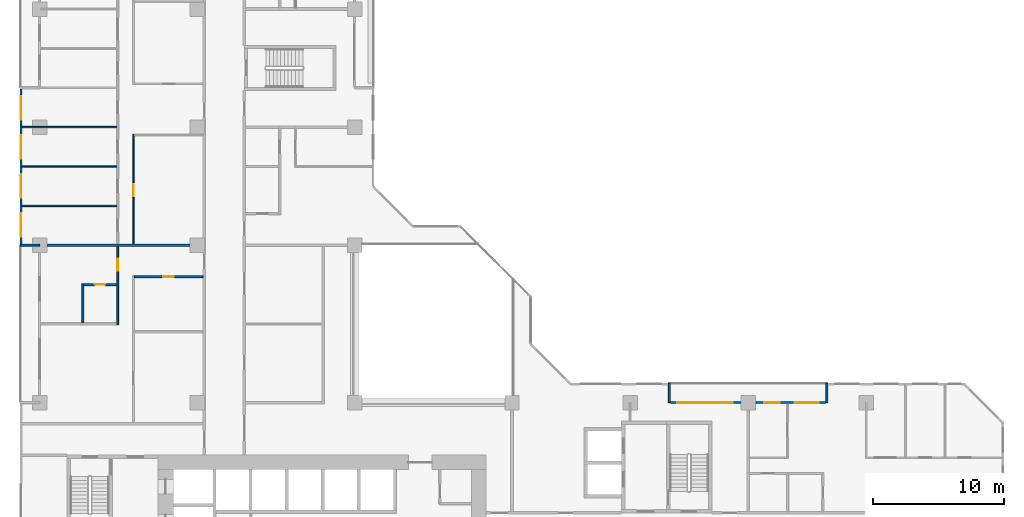
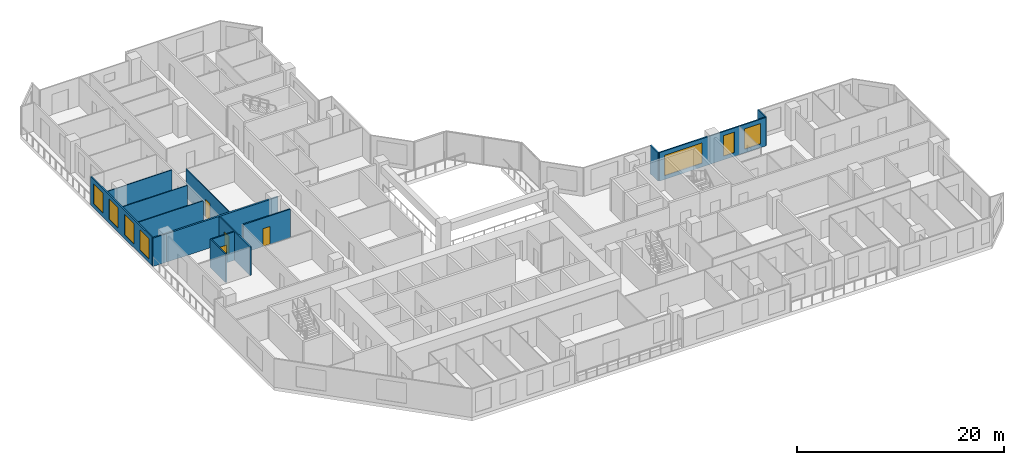
# One storey, part 8 of 15: 14 walls, 7 windows, 4 doors, 11 openings.
"""IFC4 building model written with IfcOpenShell, lengths in metres."""

from ifc_helpers import new_model, si_unit, direction, frame, frame_2d, origin, place, context, subcontext, project, spatial, rectangle, extrude, material, layer, layer_set, type_object, element, fill, save


model = new_model("IFC4")

# Units and contexts
model_context = context("Model", 3, precision=1e-05, world=origin(), true_north=direction((0.0, 1.0)))
body_context = subcontext(model_context, "Body", "Model", "MODEL_VIEW")
ifc_project = project(units=[si_unit("LENGTHUNIT", "METRE"), si_unit("AREAUNIT", "SQUARE_METRE"), si_unit("VOLUMEUNIT", "CUBIC_METRE"), si_unit("PLANEANGLEUNIT", "RADIAN"), si_unit("MASSUNIT", "GRAM", prefix="KILO")], contexts=[model_context])

# Site, building, storey
site_placement = place(None, origin())
site = spatial("IfcSite", under=ifc_project, at=site_placement, CompositionType="ELEMENT")
building_placement = place(site_placement, origin())
building = spatial("IfcBuilding", under=site, at=building_placement, Name="Chenar Terraces", CompositionType="ELEMENT")
storey_placement = place(building_placement, frame((0.0, 0.0, 67.64990234375)))
storey = spatial("IfcBuildingStorey", under=building, at=storey_placement, Name="L14", CompositionType="ELEMENT", Elevation=67.64990234375)

# Wall, openings, windows
ifc_material_1 = material(Name="Aluminium framed glazing", Category="aluminium")
ifc_layer_1 = layer(ifc_material_1, 0.14990234375)
ifc_layer_set_1 = layer_set([ifc_layer_1], Name="Aluminium framed glazing")
wall_type_1 = type_object("IfcWallType", Name="Glazed flush facade wall 150", PredefinedType="SOLIDWALL", material=ifc_layer_set_1)
wall_1_placement = place(storey_placement, frame((-1.425048828125, 47.925048828125, 0.0), z_axis=(0.0, 0.0, 1.0), x_axis=(0.0, -1.0, 0.0)))
wall_1 = element("IfcWall", 1, at=wall_1_placement, inside=storey, type_object=wall_type_1, Name="Glazed flush facade wall", PredefinedType="SOLIDWALL", context=body_context, shape_type="SweptSolid", body=[
    extrude(rectangle(XDim=11.85009765625, YDim=0.14990234375, at=frame_2d((5.925048828125, 0.0))), origin(), (0.0, 0.0, 1.0), 3.35009765625),
])
opening_1_placement = place(wall_1_placement, frame((0.5625, 0.0, 0.449951171875)))
opening_1 = element("IfcOpeningElement", 2, at=opening_1_placement, cuts=wall_1, Name="Opening W180x240", PredefinedType="OPENING", context=body_context, shape_type="SweptSolid", body=[
    extrude(rectangle(XDim=1.800048828125, YDim=2.39990234375, at=frame_2d((0.89990234375, 1.199951171875))), frame((0.0, 0.0849609375, 0.0), z_axis=(0.0, -1.0, 0.0), x_axis=(1.0, 0.0, 0.0)), (0.0, 0.0, 1.0), 0.169921875),
])
opening_2_placement = place(wall_1_placement, frame((3.52490234375, 0.0, 0.449951171875)))
opening_2 = element("IfcOpeningElement", 3, at=opening_2_placement, cuts=wall_1, Name="Opening W180x240", PredefinedType="OPENING", context=body_context, shape_type="SweptSolid", body=[
    extrude(rectangle(XDim=1.800048828125, YDim=2.39990234375, at=frame_2d((0.89990234375, 1.199951171875))), frame((0.0, 0.0849609375, 0.0), z_axis=(0.0, -1.0, 0.0), x_axis=(1.0, 0.0, 0.0)), (0.0, 0.0, 1.0), 0.169921875),
])
opening_3_placement = place(wall_1_placement, frame((6.52490234375, 0.0, 0.449951171875)))
opening_3 = element("IfcOpeningElement", 4, at=opening_3_placement, cuts=wall_1, Name="Opening W180x240", PredefinedType="OPENING", context=body_context, shape_type="SweptSolid", body=[
    extrude(rectangle(XDim=1.800048828125, YDim=2.39990234375, at=frame_2d((0.89990234375, 1.199951171875))), frame((0.0, 0.0849609375, 0.0), z_axis=(0.0, -1.0, 0.0), x_axis=(1.0, 0.0, 0.0)), (0.0, 0.0, 1.0), 0.169921875),
])
opening_4_placement = place(wall_1_placement, frame((9.487548828125, 0.0, 0.449951171875)))
opening_4 = element("IfcOpeningElement", 5, at=opening_4_placement, cuts=wall_1, Name="Opening W180x240", PredefinedType="OPENING", context=body_context, shape_type="SweptSolid", body=[
    extrude(rectangle(XDim=1.800048828125, YDim=2.39990234375, at=frame_2d((0.89990234375, 1.199951171875))), frame((0.0, 0.0849609375, 0.0), z_axis=(0.0, -1.0, 0.0), x_axis=(1.0, 0.0, 0.0)), (0.0, 0.0, 1.0), 0.169921875),
])
ifc_material_2 = material(Name="Low emissivity double glazing, aluminium frame", Category="aluminium")
window_type_1 = type_object("IfcWindowType", Name="Fixed light 1800 x 2400", PartitioningType="SINGLE_PANEL", PredefinedType="WINDOW", material=ifc_material_2)
window_1_placement = place(opening_1_placement, origin())
window_1 = element("IfcWindow", 6, at=window_1_placement, inside=storey, type_object=window_type_1, Name="Window", OverallHeight=2.39990234375, OverallWidth=1.800048828125, PartitioningType="SINGLE_PANEL", PredefinedType="WINDOW", context=body_context, shape_type="SweptSolid", body=[
    extrude(rectangle(XDim=1.800048828125, YDim=2.39990234375, at=frame_2d((0.89990234375, 1.199951171875))), frame((0.0, 0.030029296875, 0.0), z_axis=(0.0, -1.0, 0.0), x_axis=(1.0, 0.0, 0.0)), (0.0, 0.0, 1.0), 0.06005859375),
])
fill(opening_1, window_1)
window_2_placement = place(opening_2_placement, origin())
window_2 = element("IfcWindow", 7, at=window_2_placement, inside=storey, type_object=window_type_1, Name="Window", OverallHeight=2.39990234375, OverallWidth=1.800048828125, PartitioningType="SINGLE_PANEL", PredefinedType="WINDOW", context=body_context, shape_type="SweptSolid", body=[
    extrude(rectangle(XDim=1.800048828125, YDim=2.39990234375, at=frame_2d((0.89990234375, 1.199951171875))), frame((0.0, 0.030029296875, 0.0), z_axis=(0.0, -1.0, 0.0), x_axis=(1.0, 0.0, 0.0)), (0.0, 0.0, 1.0), 0.06005859375),
])
fill(opening_2, window_2)
window_3_placement = place(opening_3_placement, origin())
window_3 = element("IfcWindow", 8, at=window_3_placement, inside=storey, type_object=window_type_1, Name="Window", OverallHeight=2.39990234375, OverallWidth=1.800048828125, PartitioningType="SINGLE_PANEL", PredefinedType="WINDOW", context=body_context, shape_type="SweptSolid", body=[
    extrude(rectangle(XDim=1.800048828125, YDim=2.39990234375, at=frame_2d((0.89990234375, 1.199951171875))), frame((0.0, 0.030029296875, 0.0), z_axis=(0.0, -1.0, 0.0), x_axis=(1.0, 0.0, 0.0)), (0.0, 0.0, 1.0), 0.06005859375),
])
fill(opening_3, window_3)
window_4_placement = place(opening_4_placement, origin())
window_4 = element("IfcWindow", 9, at=window_4_placement, inside=storey, type_object=window_type_1, Name="Window", OverallHeight=2.39990234375, OverallWidth=1.800048828125, PartitioningType="SINGLE_PANEL", PredefinedType="WINDOW", context=body_context, shape_type="SweptSolid", body=[
    extrude(rectangle(XDim=1.800048828125, YDim=2.39990234375, at=frame_2d((0.89990234375, 1.199951171875))), frame((0.0, 0.030029296875, 0.0), z_axis=(0.0, -1.0, 0.0), x_axis=(1.0, 0.0, 0.0)), (0.0, 0.0, 1.0), 0.06005859375),
])
fill(opening_4, window_4)

ifc_material_3 = material(Name="Aluminium framed glazing", Category="aluminium")
ifc_layer_2 = layer(ifc_material_3, 0.14990234375)
ifc_layer_set_2 = layer_set([ifc_layer_2], Name="Aluminium framed glazing")
wall_type_2 = type_object("IfcWallType", Name="Glazed loggia back wall 150", PredefinedType="SOLIDWALL", material=ifc_layer_set_2)
wall_2_placement = place(storey_placement, frame((59.925048828125, 24.0, 0.0), z_axis=(0.0, 0.0, 1.0), x_axis=(-1.0, 0.0, 0.0)))
wall_2 = element("IfcWall", 10, at=wall_2_placement, inside=storey, type_object=wall_type_2, Name="Glazed loggia back wall", PredefinedType="SOLIDWALL", context=body_context, shape_type="SweptSolid", body=[
    extrude(rectangle(XDim=11.85009765625, YDim=0.14990234375, at=frame_2d((5.925048828125, 0.0))), origin(), (0.0, 0.0, 1.0), 3.35009765625),
])
opening_5_placement = place(wall_2_placement, frame((0.5625, 0.0, 0.449951171875)))
opening_5 = element("IfcOpeningElement", 11, at=opening_5_placement, cuts=wall_2, Name="Opening W180x240", PredefinedType="OPENING", context=body_context, shape_type="SweptSolid", body=[
    extrude(rectangle(XDim=1.800048828125, YDim=2.39990234375, at=frame_2d((0.89990234375, 1.199951171875))), frame((0.0, 0.0849609375, 0.0), z_axis=(0.0, -1.0, 0.0), x_axis=(1.0, 0.0, 0.0)), (0.0, 0.0, 1.0), 0.169921875),
])
opening_6_placement = place(wall_2_placement, frame((3.5, 0.0, 0.449951171875)))
opening_6 = element("IfcOpeningElement", 12, at=opening_6_placement, cuts=wall_2, Name="Opening W120x240", PredefinedType="OPENING", context=body_context, shape_type="SweptSolid", body=[
    extrude(rectangle(XDim=1.199951171875, YDim=2.39990234375, at=frame_2d((0.60009765625, 1.199951171875))), frame((0.0, 0.0849609375, 0.0), z_axis=(0.0, -1.0, 0.0), x_axis=(1.0, 0.0, 0.0)), (0.0, 0.0, 1.0), 0.169921875),
])
opening_7_placement = place(wall_2_placement, frame((7.112548828125, 0.0, 0.449951171875)))
opening_7 = element("IfcOpeningElement", 13, at=opening_7_placement, cuts=wall_2, Name="Opening W420x240", PredefinedType="OPENING", context=body_context, shape_type="SweptSolid", body=[
    extrude(rectangle(XDim=4.199951171875, YDim=2.39990234375, at=frame_2d((2.10009765625, 1.199951171875))), frame((0.0, 0.0849609375, 0.0), z_axis=(0.0, -1.0, 0.0), x_axis=(1.0, 0.0, 0.0)), (0.0, 0.0, 1.0), 0.169921875),
])
ifc_material_4 = material(Name="Low emissivity double glazing, aluminium frame", Category="aluminium")
window_type_2 = type_object("IfcWindowType", Name="Fixed light 1200 x 2400", PartitioningType="SINGLE_PANEL", PredefinedType="WINDOW", material=ifc_material_4)
window_5_placement = place(opening_6_placement, origin())
window_5 = element("IfcWindow", 14, at=window_5_placement, inside=storey, type_object=window_type_2, Name="Window", OverallHeight=2.39990234375, OverallWidth=1.199951171875, PartitioningType="SINGLE_PANEL", PredefinedType="WINDOW", context=body_context, shape_type="SweptSolid", body=[
    extrude(rectangle(XDim=1.199951171875, YDim=2.39990234375, at=frame_2d((0.60009765625, 1.199951171875))), frame((0.0, 0.030029296875, 0.0), z_axis=(0.0, -1.0, 0.0), x_axis=(1.0, 0.0, 0.0)), (0.0, 0.0, 1.0), 0.06005859375),
])
fill(opening_6, window_5)
window_6_placement = place(opening_5_placement, origin())
window_6 = element("IfcWindow", 15, at=window_6_placement, inside=storey, type_object=window_type_1, Name="Window", OverallHeight=2.39990234375, OverallWidth=1.800048828125, PartitioningType="SINGLE_PANEL", PredefinedType="WINDOW", context=body_context, shape_type="SweptSolid", body=[
    extrude(rectangle(XDim=1.800048828125, YDim=2.39990234375, at=frame_2d((0.89990234375, 1.199951171875))), frame((0.0, 0.030029296875, 0.0), z_axis=(0.0, -1.0, 0.0), x_axis=(1.0, 0.0, 0.0)), (0.0, 0.0, 1.0), 0.06005859375),
])
fill(opening_5, window_6)
ifc_material_5 = material(Name="Low emissivity double glazing, aluminium frame", Category="aluminium")
window_type_3 = type_object("IfcWindowType", Name="Fixed light 4200 x 2400", PartitioningType="SINGLE_PANEL", PredefinedType="WINDOW", material=ifc_material_5)
window_7_placement = place(opening_7_placement, origin())
window_7 = element("IfcWindow", 16, at=window_7_placement, inside=storey, type_object=window_type_3, Name="Window", OverallHeight=2.39990234375, OverallWidth=4.199951171875, PartitioningType="SINGLE_PANEL", PredefinedType="WINDOW", context=body_context, shape_type="SweptSolid", body=[
    extrude(rectangle(XDim=4.199951171875, YDim=2.39990234375, at=frame_2d((2.10009765625, 1.199951171875))), frame((0.0, 0.030029296875, 0.0), z_axis=(0.0, -1.0, 0.0), x_axis=(1.0, 0.0, 0.0)), (0.0, 0.0, 1.0), 0.06005859375),
])
fill(opening_7, window_7)

# Walls
ifc_material_6 = material(Name="Gypsum board on steel studs", Category="steel")
ifc_layer_3 = layer(ifc_material_6, 0.10009765625)
ifc_layer_set_3 = layer_set([ifc_layer_3], Name="Gypsum board on steel studs")
wall_type_3 = type_object("IfcWallType", Name="Gypsum partition 100", PredefinedType="PARTITIONING", material=ifc_layer_set_3)
for number, where, z_axis, x_axis, name in (
    (17, (-1.35107421875, 39.0, 0.0), (0.0, 0.0, 1.0), (1.0, 0.0, 0.0), "Partition L14-001"),
    (18, (-1.35107421875, 42.0, 0.0), (0.0, 0.0, 1.0), (1.0, 0.0, 0.0), "Partition L14-002"),
    (19, (-1.35107421875, 45.0, 0.0), (0.0, 0.0, 1.0), (1.0, 0.0, 0.0), "Partition L14-003"),
):
    element("IfcWall", number, at=place(storey_placement, frame(where, z_axis=z_axis, x_axis=x_axis)), inside=storey, type_object=wall_type_3, Name=name, PredefinedType="PARTITIONING", context=body_context, shape_type="SweptSolid", body=[
        extrude(rectangle(XDim=7.22607421875, YDim=0.10009765625, at=frame_2d((3.613037109375, 0.0))), origin(), (0.0, 0.0, 1.0), 3.35009765625),
    ])

# Wall, opening, door
wall_3_placement = place(storey_placement, frame((7.14990234375, 36.10009765625, 0.0), z_axis=(0.0, 0.0, 1.0), x_axis=(0.0, 1.0, 0.0)))
wall_3 = element("IfcWall", 20, at=wall_3_placement, inside=storey, type_object=wall_type_3, Name="Partition L14-018", PredefinedType="PARTITIONING", context=body_context, shape_type="SweptSolid", body=[
    extrude(rectangle(XDim=8.349853515625, YDim=0.10009765625, at=frame_2d((4.1748046875, 0.0))), origin(), (0.0, 0.0, 1.0), 3.35009765625),
])
opening_8_placement = place(wall_3_placement, frame((3.64990234375, 0.0, 0.0)))
opening_8 = element("IfcOpeningElement", 21, at=opening_8_placement, cuts=wall_3, Name="Opening DL14-35", PredefinedType="OPENING", context=body_context, shape_type="SweptSolid", body=[
    extrude(rectangle(XDim=0.89990234375, YDim=2.10009765625, at=frame_2d((0.449951171875, 1.050048828125))), frame((0.0, 0.06005859375, 0.0), z_axis=(0.0, -1.0, 0.0), x_axis=(1.0, 0.0, 0.0)), (0.0, 0.0, 1.0), 0.1201171875),
])
ifc_material_7 = material(Name="Veneered timber door leaf", Category="wood")
door_type_1 = type_object("IfcDoorType", Name="Door 900 x 2100", OperationType="SINGLE_SWING_LEFT", PredefinedType="DOOR", material=ifc_material_7)
door_1_placement = place(opening_8_placement, frame((0.89990234375, 0.0, 0.0), z_axis=(0.0, 0.0, 1.0), x_axis=(-1.0, 0.0, 0.0)))
door_1 = element("IfcDoor", 22, at=door_1_placement, inside=storey, type_object=door_type_1, Name="Door DL14-35", OperationType="SINGLE_SWING_LEFT", OverallHeight=2.10009765625, OverallWidth=0.89990234375, PredefinedType="DOOR", context=body_context, shape_type="SweptSolid", body=[
    extrude(rectangle(XDim=0.89990234375, YDim=2.10009765625, at=frame_2d((0.449951171875, 1.050048828125))), frame((0.0, 0.02490234375, 0.0), z_axis=(0.0, -1.0, 0.0), x_axis=(1.0, 0.0, 0.0)), (0.0, 0.0, 1.0), 0.050048828125),
])
fill(opening_8, door_1)

# Walls
ifc_material_8 = material(Name="Terracotta cladding on insulated backing", Category="masonry")
ifc_layer_4 = layer(ifc_material_8, 0.14990234375)
ifc_layer_set_4 = layer_set([ifc_layer_4], Name="Terracotta cladding on insulated backing")
wall_type_4 = type_object("IfcWallType", Name="Loggia return wall 150", PredefinedType="SOLIDWALL", material=ifc_layer_set_4)
for number, where, z_axis, x_axis, name in (
    (23, (60.0, 25.5, 0.0), (0.0, 0.0, 1.0), (0.0, -1.0, 0.0), "Loggia return wall"),
    (24, (48.0, 25.5, 0.0), (0.0, 0.0, 1.0), (0.0, -1.0, 0.0), "Loggia return wall"),
    (25, (-1.5, 36.0, 0.0), (0.0, 0.0, 1.0), (1.0, 0.0, 0.0), "Loggia return wall"),
):
    element("IfcWall", number, at=place(storey_placement, frame(where, z_axis=z_axis, x_axis=x_axis)), inside=storey, type_object=wall_type_4, Name=name, PredefinedType="SOLIDWALL", context=body_context, shape_type="SweptSolid", body=[
        extrude(rectangle(XDim=1.5, YDim=0.14990234375, at=frame_2d((0.75, 0.0))), origin(), (0.0, 0.0, 1.0), 3.35009765625),
    ])
ifc_material_9 = material(Name="Twin gypsum board on steel studs with mineral wool", Category="steel")
ifc_layer_5 = layer(ifc_material_9, 0.199951171875)
ifc_layer_set_5 = layer_set([ifc_layer_5], Name="Twin gypsum board on steel studs with mineral wool")
wall_type_5 = type_object("IfcWallType", Name="Unit demising wall 200", PredefinedType="PARTITIONING", material=ifc_layer_set_5)
wall_4_placement = place(storey_placement, frame((0.0, 36.0, 0.0), z_axis=(0.0, 0.0, 1.0), x_axis=(1.0, 0.0, 0.0)))
element("IfcWall", 26, at=wall_4_placement, inside=storey, type_object=wall_type_5, Name="Partition L14-006", PredefinedType="PARTITIONING", context=body_context, shape_type="SweptSolid", body=[
    extrude(rectangle(XDim=12.449951171875, YDim=0.199951171875, at=frame_2d((6.22509765625, 0.0))), origin(), (0.0, 0.0, 1.0), 3.35009765625),
])
ifc_material_10 = material(Name="Moisture-resistant gypsum board on steel studs", Category="steel")
ifc_layer_6 = layer(ifc_material_10, 0.14990234375)
ifc_layer_set_6 = layer_set([ifc_layer_6], Name="Moisture-resistant gypsum board on steel studs")
wall_type_6 = type_object("IfcWallType", Name="Wet-room partition 150", PredefinedType="PARTITIONING", material=ifc_layer_set_6)
wall_5_placement = place(storey_placement, frame((3.300048828125, 30.074951171875, 0.0), z_axis=(0.0, 0.0, 1.0), x_axis=(0.0, 1.0, 0.0)))
element("IfcWall", 27, at=wall_5_placement, inside=storey, type_object=wall_type_6, Name="Partition L14-013", PredefinedType="PARTITIONING", context=body_context, shape_type="SweptSolid", body=[
    extrude(rectangle(XDim=3.0, YDim=0.14990234375, at=frame_2d((1.5, 0.0))), origin(), (0.0, 0.0, 1.0), 3.35009765625),
])

# Wall, opening, door
wall_6_placement = place(storey_placement, frame((3.375, 33.0, 0.0), z_axis=(0.0, 0.0, 1.0), x_axis=(1.0, 0.0, 0.0)))
wall_6 = element("IfcWall", 28, at=wall_6_placement, inside=storey, type_object=wall_type_6, Name="Partition L14-014", PredefinedType="PARTITIONING", context=body_context, shape_type="SweptSolid", body=[
    extrude(rectangle(XDim=2.5, YDim=0.14990234375, at=frame_2d((1.25, 0.0))), origin(), (0.0, 0.0, 1.0), 3.35009765625),
])
opening_9_placement = place(wall_6_placement, frame((0.824951171875, 0.0, 0.0)))
opening_9 = element("IfcOpeningElement", 29, at=opening_9_placement, cuts=wall_6, Name="Opening DL14-66", PredefinedType="OPENING", context=body_context, shape_type="SweptSolid", body=[
    extrude(rectangle(XDim=0.800048828125, YDim=2.10009765625, at=frame_2d((0.39990234375, 1.050048828125))), frame((0.0, 0.0849609375, 0.0), z_axis=(0.0, -1.0, 0.0), x_axis=(1.0, 0.0, 0.0)), (0.0, 0.0, 1.0), 0.169921875),
])
ifc_material_11 = material(Name="Veneered timber door leaf", Category="wood")
door_type_2 = type_object("IfcDoorType", Name="Door 800 x 2100", OperationType="SINGLE_SWING_LEFT", PredefinedType="DOOR", material=ifc_material_11)
door_2_placement = place(opening_9_placement, frame((0.800048828125, 0.0, 0.0), z_axis=(0.0, 0.0, 1.0), x_axis=(-1.0, 0.0, 0.0)))
door_2 = element("IfcDoor", 30, at=door_2_placement, inside=storey, type_object=door_type_2, Name="Door DL14-66", OperationType="SINGLE_SWING_LEFT", OverallHeight=2.10009765625, OverallWidth=0.800048828125, PredefinedType="DOOR", context=body_context, shape_type="SweptSolid", body=[
    extrude(rectangle(XDim=0.800048828125, YDim=2.10009765625, at=frame_2d((0.39990234375, 1.050048828125))), frame((0.0, 0.02490234375, 0.0), z_axis=(0.0, -1.0, 0.0), x_axis=(1.0, 0.0, 0.0)), (0.0, 0.0, 1.0), 0.050048828125),
])
fill(opening_9, door_2)

wall_7_placement = place(storey_placement, frame((5.949951171875, 29.925048828125, 0.0), z_axis=(0.0, 0.0, 1.0), x_axis=(0.0, 1.0, 0.0)))
wall_7 = element("IfcWall", 31, at=wall_7_placement, inside=storey, type_object=wall_type_6, Name="Partition L14-015", PredefinedType="PARTITIONING", context=body_context, shape_type="SweptSolid", body=[
    extrude(rectangle(XDim=5.974853515625, YDim=0.14990234375, at=frame_2d((2.9873046875, 0.0))), origin(), (0.0, 0.0, 1.0), 3.35009765625),
])
opening_10_placement = place(wall_7_placement, frame((4.125, 0.0, 0.0)))
opening_10 = element("IfcOpeningElement", 32, at=opening_10_placement, cuts=wall_7, Name="Opening DL14-65", PredefinedType="OPENING", context=body_context, shape_type="SweptSolid", body=[
    extrude(rectangle(XDim=0.89990234375, YDim=2.10009765625, at=frame_2d((0.449951171875, 1.050048828125))), frame((0.0, 0.0849609375, 0.0), z_axis=(0.0, -1.0, 0.0), x_axis=(1.0, 0.0, 0.0)), (0.0, 0.0, 1.0), 0.169921875),
])
door_3_placement = place(opening_10_placement, origin())
door_3 = element("IfcDoor", 33, at=door_3_placement, inside=storey, type_object=door_type_1, Name="Door DL14-65", OperationType="SINGLE_SWING_LEFT", OverallHeight=2.10009765625, OverallWidth=0.89990234375, PredefinedType="DOOR", context=body_context, shape_type="SweptSolid", body=[
    extrude(rectangle(XDim=0.89990234375, YDim=2.10009765625, at=frame_2d((0.449951171875, 1.050048828125))), frame((0.0, 0.02490234375, 0.0), z_axis=(0.0, -1.0, 0.0), x_axis=(1.0, 0.0, 0.0)), (0.0, 0.0, 1.0), 0.050048828125),
])
fill(opening_10, door_3)

wall_8_placement = place(storey_placement, frame((7.22509765625, 33.60009765625, 0.0), z_axis=(0.0, 0.0, 1.0), x_axis=(1.0, 0.0, 0.0)))
wall_8 = element("IfcWall", 34, at=wall_8_placement, inside=storey, type_object=wall_type_6, Name="Partition L14-022", PredefinedType="PARTITIONING", context=body_context, shape_type="SweptSolid", body=[
    extrude(rectangle(XDim=5.224853515625, YDim=0.14990234375, at=frame_2d((2.6123046875, 0.0))), origin(), (0.0, 0.0, 1.0), 3.35009765625),
])
opening_11_placement = place(wall_8_placement, frame((2.175048828125, 0.0, 0.0)))
opening_11 = element("IfcOpeningElement", 35, at=opening_11_placement, cuts=wall_8, Name="Opening DL14-64", PredefinedType="OPENING", context=body_context, shape_type="SweptSolid", body=[
    extrude(rectangle(XDim=0.800048828125, YDim=2.10009765625, at=frame_2d((0.39990234375, 1.050048828125))), frame((0.0, 0.0849609375, 0.0), z_axis=(0.0, -1.0, 0.0), x_axis=(1.0, 0.0, 0.0)), (0.0, 0.0, 1.0), 0.169921875),
])
door_4_placement = place(opening_11_placement, frame((0.800048828125, 0.0, 0.0), z_axis=(0.0, 0.0, 1.0), x_axis=(-1.0, 0.0, 0.0)))
door_4 = element("IfcDoor", 36, at=door_4_placement, inside=storey, type_object=door_type_2, Name="Door DL14-64", OperationType="SINGLE_SWING_LEFT", OverallHeight=2.10009765625, OverallWidth=0.800048828125, PredefinedType="DOOR", context=body_context, shape_type="SweptSolid", body=[
    extrude(rectangle(XDim=0.800048828125, YDim=2.10009765625, at=frame_2d((0.39990234375, 1.050048828125))), frame((0.0, 0.02490234375, 0.0), z_axis=(0.0, -1.0, 0.0), x_axis=(1.0, 0.0, 0.0)), (0.0, 0.0, 1.0), 0.050048828125),
])
fill(opening_11, door_4)

save(model, "model.ifc")
